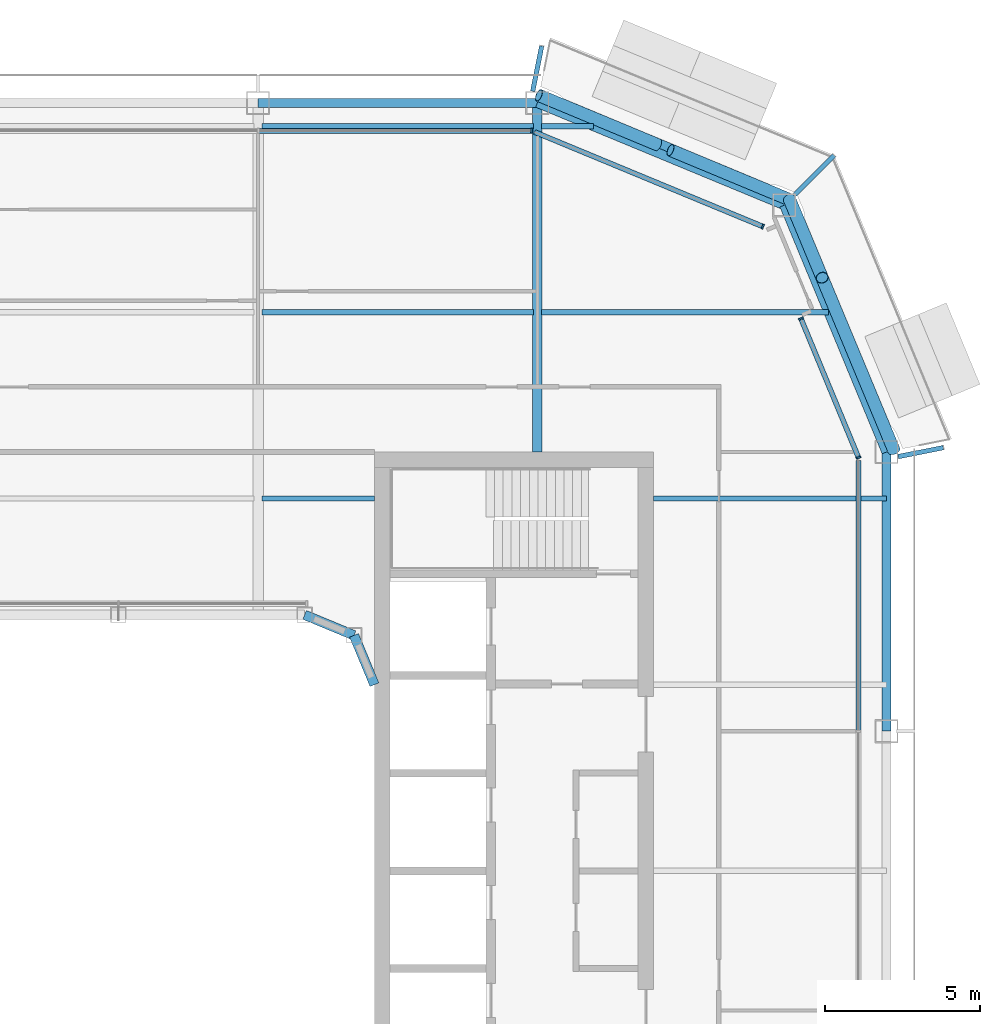
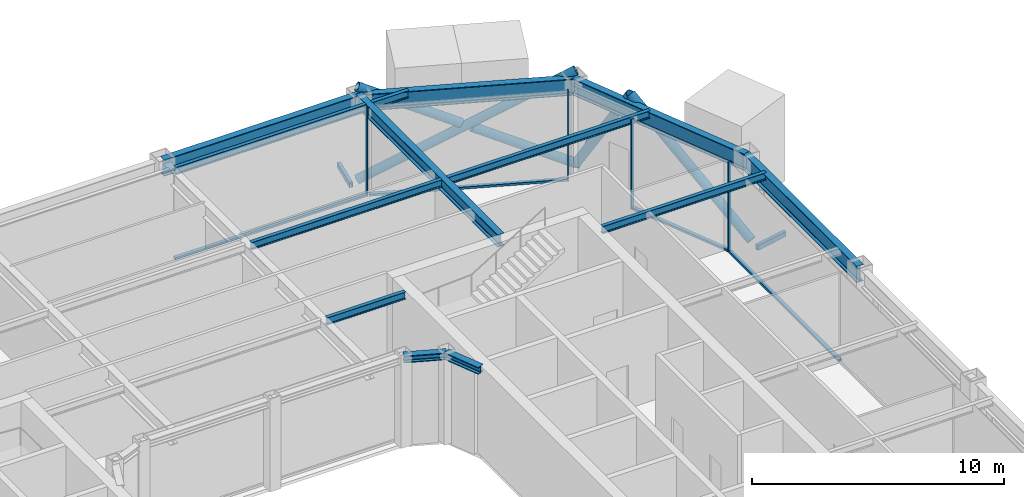
# One storey, part 8 of 20: 16 beams, 13 members, 4 elements without a shape of their own.
"""IFC4 building model written with IfcOpenShell, lengths in metres."""

import ifcopenshell
import ifcopenshell.guid

model = None  # the IFC model being written
_history = None  # IfcOwnerHistory: only IFC2X3 demands one
_inside = {}  # id of a spatial element -> (the spatial element, [elements in it])
_under = {}  # id of a project, library or spatial element -> (it, [spatial elements below it])
_declared = {}  # id of a project -> (the project, [libraries it declares])
_typed = {}  # id of a type object -> (the type object, [elements of that type])
_made_of = {}  # id of a material, layer set ... -> (it, [elements and type objects made of it])


def new_model(schema):
    """Start an empty IFC model of exactly this schema.

    Asked for "IFC4X3", IfcOpenShell would pick the latest addendum, in which some entities
    have other attributes; the version numbers below select the first issue.
    IFC2X3 requires an IfcOwnerHistory on every rooted entity: one is made here for all.
    """
    global model, _history
    if schema == "IFC4X3":
        model = ifcopenshell.file(schema_version=(4, 3, 0, 0))
    else:
        model = ifcopenshell.file(schema=schema)
    _inside.clear()
    _under.clear()
    _declared.clear()
    _typed.clear()
    _made_of.clear()
    _history = None
    if model.schema == "IFC2X3":
        org = make("IfcOrganization", Name="unknown")
        user = make(
            "IfcPersonAndOrganization",
            ThePerson=make("IfcPerson", FamilyName="unknown"),
            TheOrganization=org,
        )
        app = make(
            "IfcApplication",
            ApplicationDeveloper=org,
            Version="unknown",
            ApplicationFullName="unknown",
            ApplicationIdentifier="unknown",
        )
        _history = make(
            "IfcOwnerHistory",
            OwningUser=user,
            OwningApplication=app,
            ChangeAction="ADDED",
            CreationDate=0,
        )
    return model


def make(cls, **values):
    """One entity of the class cls with the attributes given. An attribute that is None is left unset."""
    return model.create_entity(
        cls, **{name: value for name, value in values.items() if value is not None}
    )


def rooted(cls, **values):
    """An entity with a GlobalId (a new one), such as an element, a storey or a relation."""
    return make(cls, GlobalId=ifcopenshell.guid.new(), OwnerHistory=_history, **values)


def si_unit(unit_type, name, prefix=None):
    """IfcSIUnit, for example si_unit("LENGTHUNIT", "METRE", prefix="MILLI")."""
    return make("IfcSIUnit", UnitType=unit_type, Prefix=prefix, Name=name)


def assignment(units):
    """IfcUnitAssignment: the units of a project."""
    return None if units is None else make("IfcUnitAssignment", Units=units)


def point(xyz):
    """IfcCartesianPoint."""
    return None if xyz is None else make("IfcCartesianPoint", Coordinates=xyz)


def direction(xyz):
    """IfcDirection."""
    return None if xyz is None else make("IfcDirection", DirectionRatios=xyz)


def frame(location, z_axis=None, x_axis=None):
    """IfcAxis2Placement3D, a coordinate frame: its origin and axes. An axis left out is left unset."""
    return make(
        "IfcAxis2Placement3D",
        Location=point(location),
        Axis=direction(z_axis),
        RefDirection=direction(x_axis),
    )


def frame_2d(location, x_axis=None):
    """IfcAxis2Placement2D, a coordinate frame in the plane: its origin and x axis."""
    return make(
        "IfcAxis2Placement2D", Location=point(location), RefDirection=direction(x_axis)
    )


def origin():
    """The frame at (0, 0, 0) with its axes left unset."""
    return frame((0.0, 0.0, 0.0))


def origin_2d():
    """The frame at (0, 0) in the plane with its x axis left unset."""
    return frame_2d((0.0, 0.0))


def place(relative_to, where):
    """IfcLocalPlacement: puts the frame where relative to a parent placement (None: the world)."""
    return make(
        "IfcLocalPlacement", PlacementRelTo=relative_to, RelativePlacement=where
    )


def context(
    kind, dimensions, precision=None, world=None, true_north=None, identifier=None
):
    """IfcGeometricRepresentationContext, for example the 3D "Model" context."""
    return make(
        "IfcGeometricRepresentationContext",
        ContextIdentifier=identifier,
        ContextType=kind,
        CoordinateSpaceDimension=dimensions,
        Precision=precision,
        WorldCoordinateSystem=world,
        TrueNorth=true_north,
    )


def subcontext(parent, identifier, kind, view, scale=None):
    """IfcGeometricRepresentationSubContext, for example "Body" below "Model"."""
    return make(
        "IfcGeometricRepresentationSubContext",
        ContextIdentifier=identifier,
        ContextType=kind,
        ParentContext=parent,
        TargetScale=scale,
        TargetView=view,
    )


def project(units=None, contexts=None):
    """IfcProject with its units and contexts."""
    return rooted(
        "IfcProject",
        Name="project",
        RepresentationContexts=contexts,
        UnitsInContext=assignment(units),
    )


def spatial(cls, under=None, at=None, **own):
    """A site, building, storey or space (cls), placed at a placement, below another one or the project."""
    s = rooted(cls, ObjectPlacement=at, **own)
    if under is not None:
        _under.setdefault(under.id(), (under, []))[1].append(s)
    return s


def profile(cls, at=None, kind="AREA", **sizes):
    """A parametric profile (cls). Its sizes go by their IFC names, for example OverallWidth=200.0."""
    return make(cls, ProfileType=kind, Position=at, **sizes)


def rectangle(**sizes):
    """IfcRectangleProfileDef."""
    return profile("IfcRectangleProfileDef", **sizes)


def hollow_rectangle(**sizes):
    """IfcRectangleHollowProfileDef."""
    return profile("IfcRectangleHollowProfileDef", **sizes)


def hollow_circle(**sizes):
    """IfcCircleHollowProfileDef."""
    return profile("IfcCircleHollowProfileDef", **sizes)


def i_section(**sizes):
    """IfcIShapeProfileDef."""
    return profile("IfcIShapeProfileDef", **sizes)


def extrude(swept, where, along, depth):
    """IfcExtrudedAreaSolid: the profile swept, set in the frame where, extruded along a direction by depth."""
    return make(
        "IfcExtrudedAreaSolid",
        SweptArea=swept,
        Position=where,
        ExtrudedDirection=direction(along),
        Depth=depth,
    )


def shape(context_of_items, identifier, shape_type, items):
    """IfcShapeRepresentation: the items that make up one representation, for example the "Body"."""
    return make(
        "IfcShapeRepresentation",
        ContextOfItems=context_of_items,
        RepresentationIdentifier=identifier,
        RepresentationType=shape_type,
        Items=items,
    )


def material(Name=None, Category=None):
    """IfcMaterial."""
    return make("IfcMaterial", Name=Name, Category=Category)


def layer(
    of_material, thickness, ventilated=None, Name=None, Category=None, Priority=None
):
    """IfcMaterialLayer: one layer of a wall or slab, of a material (None: an air gap)."""
    return make(
        "IfcMaterialLayer",
        Material=of_material,
        LayerThickness=thickness,
        IsVentilated=ventilated,
        Name=Name,
        Category=Category,
        Priority=Priority,
    )


def layer_set(layers, Name=None):
    """IfcMaterialLayerSet."""
    return make("IfcMaterialLayerSet", MaterialLayers=layers, LayerSetName=Name)


def material_profile(
    of_material, cross_section, Name=None, Category=None, Priority=None
):
    """IfcMaterialProfile: a cross section and its material."""
    return make(
        "IfcMaterialProfile",
        Name=Name,
        Material=of_material,
        Profile=cross_section,
        Priority=Priority,
        Category=Category,
    )


def profile_set(profiles, Name=None, composite=None):
    """IfcMaterialProfileSet."""
    return make(
        "IfcMaterialProfileSet",
        Name=Name,
        MaterialProfiles=profiles,
        CompositeProfile=composite,
    )


def made_of(thing, what):
    """Note that an element or type object is made of a material, layer set ...; save() writes the relation."""
    if what is not None:
        _made_of.setdefault(what.id(), (what, []))[1].append(thing)
    return thing


def type_object(cls, material=None, **own):
    """A type object (cls), such as IfcWallType, which elements share."""
    return made_of(rooted(cls, **own), material)


def element(
    cls,
    number,
    at=None,
    inside=None,
    cuts=None,
    type_object=None,
    material=None,
    context=None,
    identifier="Body",
    shape_type=None,
    held_by="IfcProductDefinitionShape",
    body=None,
    shapes=None,
    **own,
):
    """One element of the class cls, such as IfcWall. Its Tag is "e" and its number.

    at: its placement. inside: the storey or other place that contains it. cuts: it is an
    opening in that element (IfcRelVoidsElement). A single representation is given by context,
    identifier, shape_type and body (its items); several are given by shapes. held_by: the class
    of the entity that holds the representations. save() writes the other relations.
    """
    e = rooted(cls, Tag="e%d" % number, ObjectPlacement=at, **own)
    if body is not None:
        shapes = [shape(context, identifier, shape_type, body)]
    if shapes is not None:
        e.Representation = make(held_by, Representations=shapes)
    if inside is not None:
        _inside.setdefault(inside.id(), (inside, []))[1].append(e)
    if cuts is not None:
        rooted(
            "IfcRelVoidsElement", RelatingBuildingElement=cuts, RelatedOpeningElement=e
        )
    if type_object is not None:
        _typed.setdefault(type_object.id(), (type_object, []))[1].append(e)
    return made_of(e, material)


def aggregate(whole, parts):
    """IfcRelAggregates: a whole, such as a stair, and the parts it consists of."""
    return rooted("IfcRelAggregates", RelatingObject=whole, RelatedObjects=parts)


def save(model, path):
    """Write the relations noted so far, then the file.

    IfcRelAggregates (storeys below a building ...), IfcRelContainedInSpatialStructure (elements
    in a storey), IfcRelDefinesByType, IfcRelAssociatesMaterial and IfcRelDeclares: one each for
    every whole, place, type object, material and project.
    """
    for whole, parts in _under.values():
        aggregate(whole, parts)
    for where, things in _inside.values():
        rooted(
            "IfcRelContainedInSpatialStructure",
            RelatedElements=things,
            RelatingStructure=where,
        )
    for kind, things in _typed.values():
        rooted("IfcRelDefinesByType", RelatedObjects=things, RelatingType=kind)
    for what, things in _made_of.values():
        rooted("IfcRelAssociatesMaterial", RelatedObjects=things, RelatingMaterial=what)
    for by, libraries in _declared.values():
        rooted("IfcRelDeclares", RelatingContext=by, RelatedDefinitions=libraries)
    model.write(path)


model = new_model("IFC4")

# Units and contexts
model_context = context("Model", 3, precision=1e-05, world=origin(), true_north=direction((0.0, 1.0)))
body_context = subcontext(model_context, "Body", "Model", "MODEL_VIEW")
ifc_project = project(units=[si_unit("LENGTHUNIT", "METRE"), si_unit("AREAUNIT", "SQUARE_METRE"), si_unit("VOLUMEUNIT", "CUBIC_METRE"), si_unit("PLANEANGLEUNIT", "RADIAN"), si_unit("MASSUNIT", "GRAM", prefix="KILO")], contexts=[model_context])

# Site, building, storey
site_placement = place(None, origin())
site = spatial("IfcSite", under=ifc_project, at=site_placement, CompositionType="ELEMENT")
building_placement = place(site_placement, origin())
building = spatial("IfcBuilding", under=site, at=building_placement, Name="Siwar Civic Tower", CompositionType="ELEMENT")
storey_placement = place(building_placement, frame((0.0, 0.0, 307.699951171875)))
storey = spatial("IfcBuildingStorey", under=building, at=storey_placement, Name="L66", CompositionType="ELEMENT", Elevation=307.699951171875)

# Beams
ifc_material_1 = material(Name="Steel S355", Category="steel")
ifc_material_profile_1 = material_profile(ifc_material_1, hollow_rectangle(XDim=0.14990234375, YDim=0.25, WallThickness=0.010009765625, at=origin_2d()), Name="RHS250x150x10")
ifc_profile_set_1 = profile_set([ifc_material_profile_1], Name="Steel S355")
beam_type_1 = type_object("IfcBeamType", Name="ENV-BALCONY ARM", PredefinedType="BEAM", material=ifc_profile_set_1)
beam_1_placement = place(storey_placement, frame((25.125, 13.350341796875, -0.27490234375), z_axis=(0.980800841714, 0.195012073712, 0.0), x_axis=(-0.195012073712, 0.980800841714, 0.0)))
element("IfcBeam", 1, at=beam_1_placement, inside=storey, type_object=beam_type_1, Name="Balcony cantilever beam NE 1", PredefinedType="BEAM", context=body_context, shape_type="SweptSolid", body=[
    extrude(hollow_rectangle(XDim=0.14990234375, YDim=0.25, WallThickness=0.010009765625, at=origin_2d()), origin(), (0.0, 0.0, 1.0), 1.488525390625),
])
beam_2_placement = place(storey_placement, frame((21.794677734375, 21.794677734375, -0.27490234375), z_axis=(0.707106781187, 0.707106781187, 0.0), x_axis=(-0.707106781187, 0.707106781187, 0.0)))
element("IfcBeam", 2, at=beam_2_placement, inside=storey, type_object=beam_type_1, Name="Balcony cantilever beam NE 2", PredefinedType="BEAM", context=body_context, shape_type="SweptSolid", body=[
    extrude(hollow_rectangle(XDim=0.14990234375, YDim=0.25, WallThickness=0.010009765625, at=origin_2d()), origin(), (0.0, 0.0, 1.0), 1.792724609375),
])
beam_3_placement = place(storey_placement, frame((13.350341796875, 25.125, -0.27490234375), z_axis=(0.195012073712, 0.980800841714, 0.0), x_axis=(-0.980800841714, 0.195012073712, 0.0)))
element("IfcBeam", 3, at=beam_3_placement, inside=storey, type_object=beam_type_1, Name="Balcony cantilever beam NE 3", PredefinedType="BEAM", context=body_context, shape_type="SweptSolid", body=[
    extrude(hollow_rectangle(XDim=0.14990234375, YDim=0.25, WallThickness=0.010009765625, at=origin_2d()), origin(), (0.0, 0.0, 1.0), 1.488525390625),
])

# Curtain wall, members
ifc_material_2 = material(Name="Aluminium clad insulated panel", Category="aluminium")
ifc_layer_1 = layer(ifc_material_2, 0.159912109375)
ifc_layer_set_1 = layer_set([ifc_layer_1], Name="Aluminium clad insulated panel")
curtain_wall_type_1 = type_object("IfcCurtainWallType", Name="ENV-CW-DX", PredefinedType="NOTDEFINED", material=ifc_layer_set_1)
curtain_wall_1_placement = place(storey_placement, origin())
curtain_wall_1 = element("IfcCurtainWall", 4, at=curtain_wall_1_placement, inside=storey, type_object=curtain_wall_type_1, Name="Curtain wall D NE1", PredefinedType="NOTDEFINED")
ifc_material_3 = material(Name="Aluminium 6063-T6", Category="aluminium")
ifc_material_profile_2 = material_profile(ifc_material_3, rectangle(XDim=0.159912109375, YDim=0.06005859375, at=origin_2d()), Name="AL 160x60")
ifc_profile_set_2 = profile_set([ifc_material_profile_2], Name="Aluminium 6063-T6")
member_type_1 = type_object("IfcMemberType", Name="ENV-MULLION-D", PredefinedType="MULLION", material=ifc_profile_set_2)
member_1_placement = place(storey_placement, frame((23.85009765625, 13.321044921875, 0.0), z_axis=(0.0, 0.0, 1.0), x_axis=(-0.923879532511, -0.382683432365, 0.0)))
member_1 = element("IfcMember", 5, at=member_1_placement, type_object=member_type_1, Name="Mullion D NE1 1", PredefinedType="MULLION", context=body_context, shape_type="SweptSolid", body=[
    extrude(rectangle(XDim=0.159912109375, YDim=0.06005859375, at=origin_2d()), origin(), (0.0, 0.0, 1.0), 4.35009765625),
])
member_2_placement = place(storey_placement, frame((21.9951171875, 17.799072265625, 0.0), z_axis=(0.0, 0.0, 1.0), x_axis=(-0.923879532511, -0.382683432365, 0.0)))
member_2 = element("IfcMember", 6, at=member_2_placement, type_object=member_type_1, Name="Mullion D NE1 2", PredefinedType="MULLION", context=body_context, shape_type="SweptSolid", body=[
    extrude(rectangle(XDim=0.159912109375, YDim=0.06005859375, at=origin_2d()), origin(), (0.0, 0.0, 1.0), 4.35009765625),
])

# Curtain wall, member
curtain_wall_2_placement = place(storey_placement, origin())
curtain_wall_2 = element("IfcCurtainWall", 7, at=curtain_wall_2_placement, inside=storey, type_object=curtain_wall_type_1, Name="Curtain wall D NE2", PredefinedType="NOTDEFINED")
member_3_placement = place(storey_placement, frame((20.76611328125, 20.76611328125, 0.0), z_axis=(0.0, 0.0, 1.0), x_axis=(-0.382683432365, -0.923879532511, 0.0)))
member_3 = element("IfcMember", 8, at=member_3_placement, type_object=member_type_1, Name="Mullion D NE2 1", PredefinedType="MULLION", context=body_context, shape_type="SweptSolid", body=[
    extrude(rectangle(XDim=0.159912109375, YDim=0.06005859375, at=origin_2d()), origin(), (0.0, 0.0, 1.0), 4.35009765625),
])

ifc_material_4 = material(Name="Aluminium and glass", Category="aluminium")
ifc_layer_2 = layer(ifc_material_4, 0.159912109375)
ifc_layer_set_2 = layer_set([ifc_layer_2], Name="Aluminium and glass")
curtain_wall_type_2 = type_object("IfcCurtainWallType", Name="ENV-CW-D", PredefinedType="NOTDEFINED", material=ifc_layer_set_2)
curtain_wall_3_placement = place(storey_placement, origin())
curtain_wall_3 = element("IfcCurtainWall", 9, at=curtain_wall_3_placement, inside=storey, type_object=curtain_wall_type_2, Name="Curtain wall D N", PredefinedType="NOTDEFINED")
member_4_placement = place(storey_placement, frame((13.321044921875, 23.85009765625, 0.0), z_axis=(0.0, 0.0, 1.0), x_axis=(0.0, -1.0, 0.0)))
member_4 = element("IfcMember", 10, at=member_4_placement, type_object=member_type_1, Name="Mullion D N 1", PredefinedType="MULLION", context=body_context, shape_type="SweptSolid", body=[
    extrude(rectangle(XDim=0.159912109375, YDim=0.06005859375, at=origin_2d()), origin(), (0.0, 0.0, 1.0), 4.35009765625),
])

curtain_wall_4_placement = place(storey_placement, origin())
curtain_wall_4 = element("IfcCurtainWall", 11, at=curtain_wall_4_placement, inside=storey, type_object=curtain_wall_type_2, Name="Curtain wall D E", PredefinedType="NOTDEFINED")
ifc_material_5 = material(Name="Aluminium 6063-T6", Category="aluminium")
ifc_material_profile_3 = material_profile(ifc_material_5, rectangle(XDim=0.159912109375, YDim=0.10009765625, at=origin_2d()), Name="AL 160x100")
ifc_profile_set_3 = profile_set([ifc_material_profile_3], Name="Aluminium 6063-T6")
member_type_2 = type_object("IfcMemberType", Name="ENV-TRANSOM-D", PredefinedType="USERDEFINED", material=ifc_profile_set_3)
member_5_placement = place(storey_placement, frame((23.85009765625, 4.530029296875, 0.050048828125), z_axis=(0.0, 1.0, 0.0), x_axis=(-1.0, 0.0, 0.0)))
member_5 = element("IfcMember", 12, at=member_5_placement, type_object=member_type_2, Name="Transom D E 3", ObjectType="TRANSOM", PredefinedType="USERDEFINED", context=body_context, shape_type="SweptSolid", body=[
    extrude(rectangle(XDim=0.159912109375, YDim=0.10009765625, at=origin_2d()), origin(), (0.0, 0.0, 1.0), 8.693115234375),
])
aggregate(curtain_wall_4, [member_5])

# Member
member_6_placement = place(storey_placement, frame((23.838623046875, 13.3486328125, 0.050048828125), z_axis=(-0.382688094537, 0.923877601363, 0.0), x_axis=(-0.923877601363, -0.382688094537, 0.0)))
member_6 = element("IfcMember", 13, at=member_6_placement, type_object=member_type_2, Name="Transom D NE1 1", ObjectType="TRANSOM", PredefinedType="USERDEFINED", context=body_context, shape_type="SweptSolid", body=[
    extrude(rectangle(XDim=0.159912109375, YDim=0.10009765625, at=origin_2d()), origin(), (0.0, 0.0, 1.0), 4.787353515625),
])

aggregate(curtain_wall_1, [member_1, member_2, member_6])

member_7_placement = place(storey_placement, frame((20.738525390625, 20.777587890625, 0.050048828125), z_axis=(-0.923883640343, 0.382673515031, 0.0), x_axis=(-0.382673515031, -0.923883640343, 0.0)))
member_7 = element("IfcMember", 14, at=member_7_placement, type_object=member_type_2, Name="Transom D NE2 1", ObjectType="TRANSOM", PredefinedType="USERDEFINED", context=body_context, shape_type="SweptSolid", body=[
    extrude(rectangle(XDim=0.159912109375, YDim=0.10009765625, at=origin_2d()), origin(), (0.0, 0.0, 1.0), 7.930908203125),
])

aggregate(curtain_wall_2, [member_3, member_7])

member_8_placement = place(storey_placement, frame((13.291015625, 23.85009765625, 0.050048828125), z_axis=(-1.0, 0.0, 0.0), x_axis=(0.0, -1.0, 0.0)))
member_8 = element("IfcMember", 15, at=member_8_placement, type_object=member_type_2, Name="Transom D N 1", ObjectType="TRANSOM", PredefinedType="USERDEFINED", context=body_context, shape_type="SweptSolid", body=[
    extrude(rectangle(XDim=0.159912109375, YDim=0.10009765625, at=origin_2d()), origin(), (0.0, 0.0, 1.0), 8.760986328125),
])

aggregate(curtain_wall_3, [member_4, member_8])

# Members
ifc_material_6 = material(Name="Steel S355", Category="steel")
ifc_material_profile_4 = material_profile(ifc_material_6, hollow_circle(Radius=0.203125, WallThickness=0.01611328125, at=origin_2d()), Name="CHS406.4x16")
ifc_profile_set_4 = profile_set([ifc_material_profile_4], Name="Steel S355")
member_type_3 = type_object("IfcMemberType", Name="STR-BR-CHS406.4x16", PredefinedType="BRACE", material=ifc_profile_set_4)
member_9_placement = place(storey_placement, frame((13.548828125, 24.9951171875, 0.0), z_axis=(0.821142553604, -0.341671493852, 0.457149315816), x_axis=(0.384163874976, 0.923264922524, 0.0)))
element("IfcMember", 16, at=member_9_placement, inside=storey, type_object=member_type_3, Name="L66/brc/DNE1-5-0-1", PredefinedType="BRACE", context=body_context, shape_type="SweptSolid", body=[
    extrude(hollow_circle(Radius=0.203125, WallThickness=0.01611328125, at=origin_2d()), origin(), (0.0, 0.0, 1.0), 9.843505859375),
])
member_10_placement = place(storey_placement, frame((21.6318359375, 21.6318359375, 0.0), z_axis=(-0.821147096886, 0.341644380467, 0.457161418507), x_axis=(-0.38413607648, -0.923276488787, 0.0)))
element("IfcMember", 17, at=member_10_placement, inside=storey, type_object=member_type_3, Name="L66/brc/DNE1-5-0-2", PredefinedType="BRACE", context=body_context, shape_type="SweptSolid", body=[
    extrude(hollow_circle(Radius=0.203125, WallThickness=0.01611328125, at=origin_2d()), origin(), (0.0, 0.0, 1.0), 4.677001953125),
])
member_11_placement = place(storey_placement, frame((17.38916015625, 23.397216796875, 2.362060546875), z_axis=(-0.821149689876, 0.341667178655, 0.457139722456), x_axis=(-0.384156893273, -0.923267827529, 0.0)))
element("IfcMember", 18, at=member_11_placement, inside=storey, type_object=member_type_3, Name="L66/brc/DNE1-5-0-3", PredefinedType="BRACE", context=body_context, shape_type="SweptSolid", body=[
    extrude(hollow_circle(Radius=0.203125, WallThickness=0.01611328125, at=origin_2d()), origin(), (0.0, 0.0, 1.0), 4.6767578125),
])
member_12_placement = place(storey_placement, frame((24.9951171875, 13.548828125, 0.0), z_axis=(-0.307903068035, 0.739973158344, 0.598026275029), x_axis=(-0.923262455747, -0.384169803352, 0.0)))
element("IfcMember", 19, at=member_12_placement, inside=storey, type_object=member_type_3, Name="L66/brc/DNE1-5-0-0", PredefinedType="BRACE", context=body_context, shape_type="SweptSolid", body=[
    extrude(hollow_circle(Radius=0.203125, WallThickness=0.01611328125, at=origin_2d()), origin(), (0.0, 0.0, 1.0), 7.524658203125),
])
member_13_placement = place(storey_placement, frame((21.6318359375, 21.6318359375, 0.0), z_axis=(0.198925611165, -0.478099094869, 0.855482236349), x_axis=(0.92327038402, 0.384150749045, 0.0)))
element("IfcMember", 20, at=member_13_placement, inside=storey, type_object=member_type_3, Name="L66/brc/DNE1-5-0-6", PredefinedType="BRACE", context=body_context, shape_type="SweptSolid", body=[
    extrude(hollow_circle(Radius=0.203125, WallThickness=0.01611328125, at=origin_2d()), origin(), (0.0, 0.0, 1.0), 5.26025390625),
])

# Beams
ifc_material_7 = material(Name="Steel S355", Category="steel")
ifc_material_profile_5 = material_profile(ifc_material_7, i_section(OverallWidth=0.169921875, OverallDepth=0.360107421875, WebThickness=0.008056640625, FlangeThickness=0.0126953125, FilletRadius=0.01806640625, at=origin_2d()), Name="IPE360")
ifc_profile_set_5 = profile_set([ifc_material_profile_5], Name="Steel S355")
beam_type_2 = type_object("IfcBeamType", Name="STR-FB-IPE360", PredefinedType="JOIST", material=ifc_profile_set_5)
beam_4_placement = place(storey_placement, frame((4.6298828125, 12.0, 4.170166015625), z_axis=(1.0, 0.0, 0.0), x_axis=(0.0, 1.0, 0.0)))
element("IfcBeam", 21, at=beam_4_placement, inside=storey, type_object=beam_type_2, Name="L66/bm/F025", PredefinedType="JOIST", context=body_context, shape_type="SweptSolid", body=[
    extrude(i_section(OverallWidth=0.169921875, OverallDepth=0.360107421875, WebThickness=0.008056640625, FlangeThickness=0.0126953125, FilletRadius=0.01806640625, at=origin_2d()), origin(), (0.0, 0.0, 1.0), 3.6201171875),
])
beam_5_placement = place(storey_placement, frame((17.25, 12.0, 4.170166015625), z_axis=(1.0, 0.0, 0.0), x_axis=(0.0, 1.0, 0.0)))
element("IfcBeam", 22, at=beam_5_placement, inside=storey, type_object=beam_type_2, Name="L66/bm/F026", PredefinedType="JOIST", context=body_context, shape_type="SweptSolid", body=[
    extrude(i_section(OverallWidth=0.169921875, OverallDepth=0.360107421875, WebThickness=0.008056640625, FlangeThickness=0.0126953125, FilletRadius=0.01806640625, at=origin_2d()), origin(), (0.0, 0.0, 1.0), 7.5),
])
beam_6_placement = place(storey_placement, frame((4.6298828125, 18.0, 4.170166015625), z_axis=(1.0, 0.0, 0.0), x_axis=(0.0, 1.0, 0.0)))
element("IfcBeam", 23, at=beam_6_placement, inside=storey, type_object=beam_type_2, Name="L66/bm/F030", PredefinedType="JOIST", context=body_context, shape_type="SweptSolid", body=[
    extrude(i_section(OverallWidth=0.169921875, OverallDepth=0.360107421875, WebThickness=0.008056640625, FlangeThickness=0.0126953125, FilletRadius=0.01806640625, at=origin_2d()), origin(), (0.0, 0.0, 1.0), 8.740234375),
])
beam_7_placement = place(storey_placement, frame((13.6298828125, 18.0, 4.170166015625), z_axis=(1.0, 0.0, 0.0), x_axis=(0.0, 1.0, 0.0)))
element("IfcBeam", 24, at=beam_7_placement, inside=storey, type_object=beam_type_2, Name="L66/bm/F031", PredefinedType="JOIST", context=body_context, shape_type="SweptSolid", body=[
    extrude(i_section(OverallWidth=0.169921875, OverallDepth=0.360107421875, WebThickness=0.008056640625, FlangeThickness=0.0126953125, FilletRadius=0.01806640625, at=origin_2d()), origin(), (0.0, 0.0, 1.0), 9.256103515625),
])
beam_8_placement = place(storey_placement, frame((4.6298828125, 24.0, 4.170166015625), z_axis=(1.0, 0.0, 0.0), x_axis=(0.0, 1.0, 0.0)))
element("IfcBeam", 25, at=beam_8_placement, inside=storey, type_object=beam_type_2, Name="L66/bm/F035", PredefinedType="JOIST", context=body_context, shape_type="SweptSolid", body=[
    extrude(i_section(OverallWidth=0.169921875, OverallDepth=0.360107421875, WebThickness=0.008056640625, FlangeThickness=0.0126953125, FilletRadius=0.01806640625, at=origin_2d()), origin(), (0.0, 0.0, 1.0), 8.740234375),
])
beam_9_placement = place(storey_placement, frame((13.6298828125, 24.0, 4.170166015625), z_axis=(1.0, 0.0, 0.0), x_axis=(0.0, 1.0, 0.0)))
element("IfcBeam", 26, at=beam_9_placement, inside=storey, type_object=beam_type_2, Name="L66/bm/F036", PredefinedType="JOIST", context=body_context, shape_type="SweptSolid", body=[
    extrude(i_section(OverallWidth=0.169921875, OverallDepth=0.360107421875, WebThickness=0.008056640625, FlangeThickness=0.0126953125, FilletRadius=0.01806640625, at=origin_2d()), origin(), (0.0, 0.0, 1.0), 1.6806640625),
])
ifc_material_8 = material(Name="Steel S355", Category="steel")
ifc_material_profile_6 = material_profile(ifc_material_8, i_section(OverallWidth=0.300048828125, OverallDepth=0.60009765625, WebThickness=0.015380859375, FlangeThickness=0.030029296875, FilletRadius=0.027099609375, at=origin_2d()), Name="HEB600")
ifc_profile_set_6 = profile_set([ifc_material_profile_6], Name="Steel S355")
beam_type_3 = type_object("IfcBeamType", Name="STR-PG-HEB600", PredefinedType="BEAM", material=ifc_profile_set_6)
beam_10_placement = place(storey_placement, frame((13.5, 13.5, 4.050048828125), z_axis=(0.0, 1.0, 0.0), x_axis=(-1.0, 0.0, 0.0)))
element("IfcBeam", 27, at=beam_10_placement, inside=storey, type_object=beam_type_3, Name="L66/bm/G08", PredefinedType="BEAM", context=body_context, shape_type="SweptSolid", body=[
    extrude(i_section(OverallWidth=0.300048828125, OverallDepth=0.60009765625, WebThickness=0.015380859375, FlangeThickness=0.030029296875, FilletRadius=0.027099609375, at=origin_2d()), origin(), (0.0, 0.0, 1.0), 11.25),
])
ifc_material_9 = material(Name="Steel S355", Category="steel")
ifc_material_profile_7 = material_profile(ifc_material_9, i_section(OverallWidth=0.31005859375, OverallDepth=0.340087890625, WebThickness=0.02099609375, FlangeThickness=0.0390625, FilletRadius=0.027099609375, at=origin_2d()), Name="HEM300")
ifc_profile_set_7 = profile_set([ifc_material_profile_7], Name="Steel S355")
beam_type_4 = type_object("IfcBeamType", Name="STR-RB-HEM300", PredefinedType="BEAM", material=ifc_profile_set_7)
for number, where, z_axis, x_axis, name in (
    (28, (6.0, 8.25, 4.179931640625), (0.923901072997, -0.382631424892, 0.0), (0.382631424892, 0.923901072997, 0.0), "L66/bm/RN3"),
    (29, (7.591064453125, 7.591064453125, 4.179931640625), (0.382631424892, -0.923901072997, 0.0), (0.923901072997, 0.382631424892, 0.0), "L66/bm/RNEE"),
):
    element("IfcBeam", number, at=place(storey_placement, frame(where, z_axis=z_axis, x_axis=x_axis)), inside=storey, type_object=beam_type_4, Name=name, PredefinedType="BEAM", context=body_context, shape_type="SweptSolid", body=[
        extrude(i_section(OverallWidth=0.31005859375, OverallDepth=0.340087890625, WebThickness=0.02099609375, FlangeThickness=0.0390625, FilletRadius=0.027099609375, at=origin_2d()), origin(), (0.0, 0.0, 1.0), 1.72216796875),
    ])
ifc_material_10 = material(Name="Steel S355", Category="steel")
ifc_material_profile_8 = material_profile(ifc_material_10, i_section(OverallWidth=0.300048828125, OverallDepth=0.800048828125, WebThickness=0.017578125, FlangeThickness=0.032958984375, FilletRadius=0.030029296875, at=origin_2d()), Name="HEB800")
ifc_profile_set_8 = profile_set([ifc_material_profile_8], Name="Steel S355")
beam_type_5 = type_object("IfcBeamType", Name="STR-SB-HEB800", PredefinedType="BEAM", material=ifc_profile_set_8)
beam_11_placement = place(storey_placement, frame((24.75, 4.5, 3.949951171875), z_axis=(0.0, 1.0, 0.0), x_axis=(-1.0, 0.0, 0.0)))
element("IfcBeam", 30, at=beam_11_placement, inside=storey, type_object=beam_type_5, Name="L66/bm/SE-2", PredefinedType="BEAM", context=body_context, shape_type="SweptSolid", body=[
    extrude(i_section(OverallWidth=0.300048828125, OverallDepth=0.800048828125, WebThickness=0.017578125, FlangeThickness=0.032958984375, FilletRadius=0.030029296875, at=origin_2d()), origin(), (0.0, 0.0, 1.0), 9.0),
])
for number, where, z_axis, x_axis, name in (
    (31, (24.75, 13.5, 3.949951171875), (-0.382699877515, 0.923872720536, 0.0), (-0.923872720536, -0.382699877515, 0.0), "L66/bm/SNE1-0"),
    (32, (21.454833984375, 21.454833984375, 3.949951171875), (-0.923872720536, 0.382699877515, 0.0), (-0.382699877515, -0.923872720536, 0.0), "L66/bm/SNE2-0"),
):
    element("IfcBeam", number, at=place(storey_placement, frame(where, z_axis=z_axis, x_axis=x_axis)), inside=storey, type_object=beam_type_5, Name=name, PredefinedType="BEAM", context=body_context, shape_type="SweptSolid", body=[
        extrude(i_section(OverallWidth=0.300048828125, OverallDepth=0.800048828125, WebThickness=0.017578125, FlangeThickness=0.032958984375, FilletRadius=0.030029296875, at=origin_2d()), origin(), (0.0, 0.0, 1.0), 8.6103515625),
    ])
beam_12_placement = place(storey_placement, frame((13.5, 24.75, 3.949951171875), z_axis=(-1.0, 0.0, 0.0), x_axis=(0.0, -1.0, 0.0)))
element("IfcBeam", 33, at=beam_12_placement, inside=storey, type_object=beam_type_5, Name="L66/bm/SN-0", PredefinedType="BEAM", context=body_context, shape_type="SweptSolid", body=[
    extrude(i_section(OverallWidth=0.300048828125, OverallDepth=0.800048828125, WebThickness=0.017578125, FlangeThickness=0.032958984375, FilletRadius=0.030029296875, at=origin_2d()), origin(), (0.0, 0.0, 1.0), 9.0),
])

save(model, "model.ifc")
